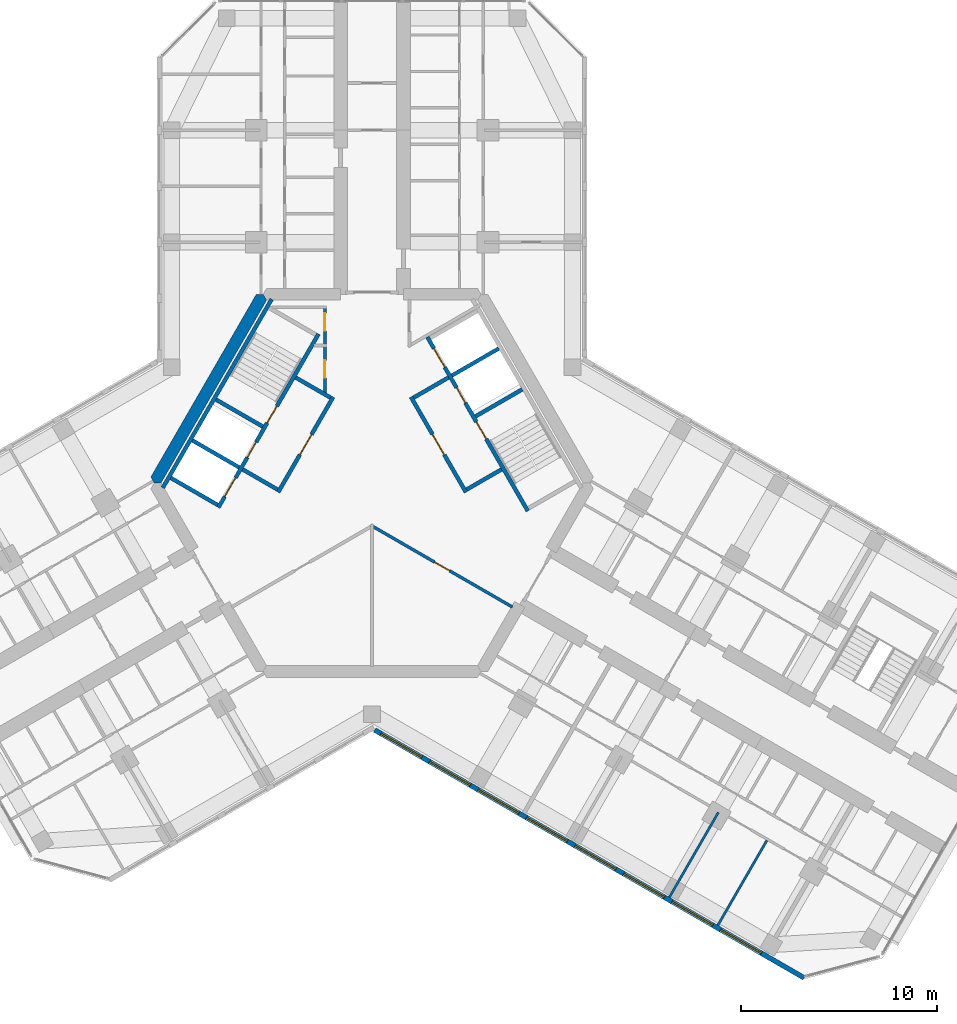
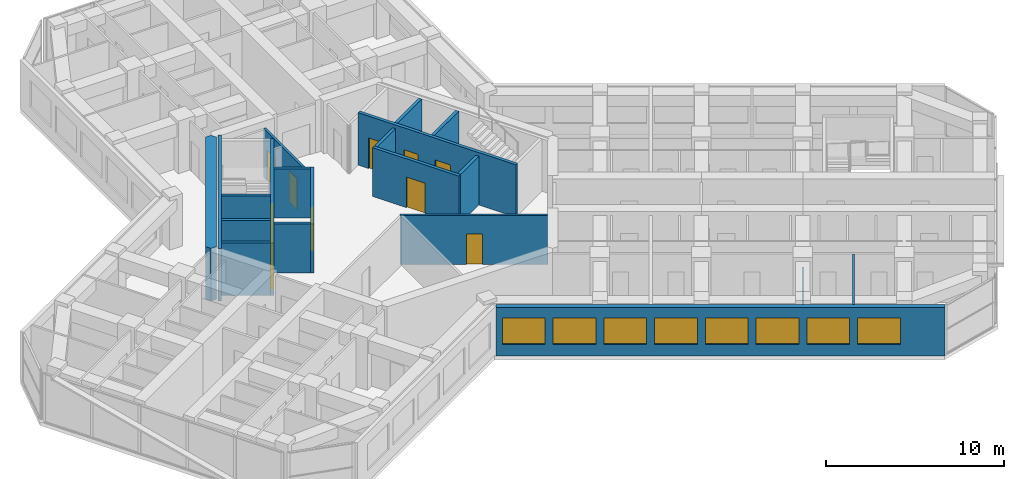
# One storey, part 10 of 16: 20 walls, 11 doors, 8 windows, 19 openings.
"""IFC4 building model written with IfcOpenShell, lengths in metres."""

from ifc_helpers import new_model, si_unit, direction, frame, frame_2d, origin, place, context, subcontext, project, spatial, polyline, rectangle, outline, extrude, material, layer, layer_set, type_object, element, fill, save


model = new_model("IFC4")

# Units and contexts
model_context = context("Model", 3, precision=1e-05, world=origin(), true_north=direction((0.0, 1.0)))
body_context = subcontext(model_context, "Body", "Model", "MODEL_VIEW")
ifc_project = project(units=[si_unit("LENGTHUNIT", "METRE"), si_unit("AREAUNIT", "SQUARE_METRE"), si_unit("VOLUMEUNIT", "CUBIC_METRE"), si_unit("PLANEANGLEUNIT", "RADIAN"), si_unit("MASSUNIT", "GRAM", prefix="KILO")], contexts=[model_context])

# Site, building, storey
site_placement = place(None, origin())
site = spatial("IfcSite", under=ifc_project, at=site_placement, CompositionType="ELEMENT")
building_placement = place(site_placement, origin())
building = spatial("IfcBuilding", under=site, at=building_placement, Name="Kosmar Iwan School Tower", CompositionType="ELEMENT")
storey_placement = place(building_placement, frame((0.0, 0.0, 242.39990234375)))
storey = spatial("IfcBuildingStorey", under=building, at=storey_placement, Name="L61", CompositionType="ELEMENT", Elevation=242.39990234375)

# Wall, openings, doors
ifc_material_1 = material(Name="Gypsum board on steel studs, fire-rated", Category="steel")
ifc_layer_1 = layer(ifc_material_1, 0.14990234375)
ifc_layer_set_1 = layer_set([ifc_layer_1], Name="Core room partition 150")
wall_type_1 = type_object("IfcWallType", Name="Core room partition 150", PredefinedType="PARTITIONING", material=ifc_layer_set_1)
wall_1_placement = place(storey_placement, frame((-2.39990234375, 9.014892578125, 0.0), z_axis=(0.0, 0.0, 1.0), x_axis=(0.0, -1.0, 0.0)))
wall_1 = element("IfcWall", 1, at=wall_1_placement, inside=storey, type_object=wall_type_1, Name="Core room partition L61-CW1", PredefinedType="PARTITIONING", context=body_context, shape_type="SweptSolid", body=[
    extrude(rectangle(XDim=4.484130859375, YDim=0.14990234375, at=frame_2d((2.2421875, 0.0))), origin(), (0.0, 0.0, 1.0), 3.35009765625),
])
opening_1_placement = place(wall_1_placement, frame((0.375, 0.0, 0.0)))
opening_1 = element("IfcOpeningElement", 2, at=opening_1_placement, cuts=wall_1, Name="Opening D14", PredefinedType="OPENING", context=body_context, shape_type="SweptSolid", body=[
    extrude(rectangle(XDim=0.89990234375, YDim=2.10009765625, at=frame_2d((0.449951171875, 1.050048828125))), frame((0.0, 0.0869140625, 0.0), z_axis=(0.0, -1.0, 0.0), x_axis=(1.0, 0.0, 0.0)), (0.0, 0.0, 1.0), 0.173828125),
])
opening_2_placement = place(wall_1_placement, frame((2.77490234375, 0.0, 0.0)))
opening_2 = element("IfcOpeningElement", 3, at=opening_2_placement, cuts=wall_1, Name="Opening D14", PredefinedType="OPENING", context=body_context, shape_type="SweptSolid", body=[
    extrude(rectangle(XDim=0.89990234375, YDim=2.10009765625, at=frame_2d((0.449951171875, 1.050048828125))), frame((0.0, 0.0869140625, 0.0), z_axis=(0.0, -1.0, 0.0), x_axis=(1.0, 0.0, 0.0)), (0.0, 0.0, 1.0), 0.173828125),
])
ifc_material_2 = material(Name="Timber fire door in steel frame", Category="steel")
door_type_1 = type_object("IfcDoorType", Name="Core room door 900x2100", OperationType="SINGLE_SWING_LEFT", PredefinedType="DOOR", material=ifc_material_2)
door_1_placement = place(opening_1_placement, origin())
door_1 = element("IfcDoor", 4, at=door_1_placement, inside=storey, type_object=door_type_1, Name="Electrical riser and switch room door L61 1", OperationType="SINGLE_SWING_LEFT", OverallHeight=2.10009765625, OverallWidth=0.89990234375, PredefinedType="DOOR", context=body_context, shape_type="SweptSolid", body=[
    extrude(rectangle(XDim=0.89990234375, YDim=2.10009765625, at=frame_2d((0.449951171875, 1.050048828125))), frame((0.0, 0.02490234375, 0.0), z_axis=(0.0, -1.0, 0.0), x_axis=(1.0, 0.0, 0.0)), (0.0, 0.0, 1.0), 0.050048828125),
])
fill(opening_1, door_1)
door_2_placement = place(opening_2_placement, origin())
door_2 = element("IfcDoor", 5, at=door_2_placement, inside=storey, type_object=door_type_1, Name="Plumbing and wet riser door L61 2", OperationType="SINGLE_SWING_RIGHT", OverallHeight=2.10009765625, OverallWidth=0.89990234375, PredefinedType="DOOR", context=body_context, shape_type="SweptSolid", body=[
    extrude(rectangle(XDim=0.89990234375, YDim=2.10009765625, at=frame_2d((0.449951171875, 1.050048828125))), frame((0.0, 0.02490234375, 0.0), z_axis=(0.0, -1.0, 0.0), x_axis=(1.0, 0.0, 0.0)), (0.0, 0.0, 1.0), 0.050048828125),
])
fill(opening_2, door_2)

# Wall, opening, door
wall_2_placement = place(storey_placement, frame((-0.06494140625, -2.156494140625, 0.0), z_axis=(0.0, 0.0, 1.0), x_axis=(0.866034159509, -0.499984834333, 0.0)))
wall_2 = element("IfcWall", 6, at=wall_2_placement, inside=storey, type_object=wall_type_1, Name="Core room partition L61-CW6", PredefinedType="PARTITIONING", context=body_context, shape_type="SweptSolid", body=[
    extrude(rectangle(XDim=8.322998046875, YDim=0.14990234375, at=frame_2d((4.16162109375, 0.0))), origin(), (0.0, 0.0, 1.0), 3.35009765625),
])
opening_3_placement = place(wall_2_placement, frame((3.7470703125, 0.0, 0.0)))
opening_3 = element("IfcOpeningElement", 7, at=opening_3_placement, cuts=wall_2, Name="Opening D14", PredefinedType="OPENING", context=body_context, shape_type="SweptSolid", body=[
    extrude(rectangle(XDim=0.89990234375, YDim=2.10009765625, at=frame_2d((0.449951171875, 1.050048828125))), frame((0.0, 0.0869140625, 0.0), z_axis=(0.0, -1.0, 0.0), x_axis=(1.0, 0.0, 0.0)), (0.0, 0.0, 1.0), 0.173828125),
])
door_3_placement = place(opening_3_placement, origin())
door_3 = element("IfcDoor", 8, at=door_3_placement, inside=storey, type_object=door_type_1, Name="Parcel room door L61 3", OperationType="SINGLE_SWING_RIGHT", OverallHeight=2.10009765625, OverallWidth=0.89990234375, PredefinedType="DOOR", context=body_context, shape_type="SweptSolid", body=[
    extrude(rectangle(XDim=0.89990234375, YDim=2.10009765625, at=frame_2d((0.449951171875, 1.050048828125))), frame((0.0, 0.02490234375, 0.0), z_axis=(0.0, -1.0, 0.0), x_axis=(1.0, 0.0, 0.0)), (0.0, 0.0, 1.0), 0.050048828125),
])
fill(opening_3, door_3)

# Walls
ifc_material_3 = material(Name="Concrete C50/60", Category="concrete")
ifc_layer_2 = layer(ifc_material_3, 0.60009765625)
ifc_layer_set_2 = layer_set([ifc_layer_2], Name="Core wall 600")
wall_type_2 = type_object("IfcWallType", Name="Core wall 600", PredefinedType="SHEAR", material=ifc_layer_set_2)
wall_3_placement = place(storey_placement, origin())
element("IfcWall", 9, at=wall_3_placement, inside=storey, type_object=wall_type_2, Name="Core wall F150", PredefinedType="SHEAR", context=body_context, shape_type="SweptSolid", body=[
    extrude(outline(polyline([(-11.085205078125, 0.0), (-10.73876953125, 0.0), (-5.369384765625, 9.300048828125), (-5.54248046875, 9.60009765625), (-5.888916015625, 9.60009765625), (-11.25830078125, 0.300048828125), (-11.085205078125, 0.0)])), origin(), (0.0, 0.0, 1.0), 3.60009765625),
])
ifc_material_4 = material(Name="Gypsum board on steel studs", Category="steel")
ifc_layer_3 = layer(ifc_material_4, 0.1201171875)
ifc_layer_set_3 = layer_set([ifc_layer_3], Name="Dwelling partition 120")
wall_type_3 = type_object("IfcWallType", Name="Dwelling partition 120", PredefinedType="PARTITIONING", material=ifc_layer_set_3)
wall_4_placement = place(storey_placement, frame((17.62646484375, -16.77001953125, 0.0), z_axis=(0.0, 0.0, 1.0), x_axis=(-0.499975153383, -0.86603974851, 0.0)))
element("IfcWall", 10, at=wall_4_placement, inside=storey, type_object=wall_type_3, Name="Partition L61-CR2-X2", PredefinedType="PARTITIONING", context=body_context, shape_type="SweptSolid", body=[
    extrude(rectangle(XDim=4.989990234375, YDim=0.1201171875, at=frame_2d((2.4951171875, 0.0))), origin(), (0.0, 0.0, 1.0), 2.4501953125),
])
wall_5_placement = place(storey_placement, frame((20.0947265625, -18.195068359375, 0.0), z_axis=(0.0, 0.0, 1.0), x_axis=(-0.500011847778, -0.866018563358, 0.0)))
element("IfcWall", 11, at=wall_5_placement, inside=storey, type_object=wall_type_3, Name="Partition L61-CR2-X3", PredefinedType="PARTITIONING", context=body_context, shape_type="SweptSolid", body=[
    extrude(rectangle(XDim=4.990234375, YDim=0.1201171875, at=frame_2d((2.4951171875, 0.0))), origin(), (0.0, 0.0, 1.0), 3.35009765625),
])

# Wall, openings, windows
ifc_material_5 = material(Name="Black aluminium rainscreen on insulated framing", Category="aluminium")
ifc_layer_4 = layer(ifc_material_5, 0.25)
ifc_layer_set_4 = layer_set([ifc_layer_4], Name="External wall rainscreen 250")
wall_type_4 = type_object("IfcWallType", Name="External wall rainscreen 250", PredefinedType="SOLIDWALL", material=ifc_layer_set_4)
wall_6_placement = place(storey_placement, frame((0.137939453125, -12.5791015625, 0.0), z_axis=(0.0, 0.0, 1.0), x_axis=(0.866023775649, -0.500002820003, 0.0)))
wall_6 = element("IfcWall", 12, at=wall_6_placement, inside=storey, type_object=wall_type_4, Name="External wall CR L61", PredefinedType="SOLIDWALL", context=body_context, shape_type="SweptSolid", body=[
    extrude(rectangle(XDim=25.226318359375, YDim=0.25, at=frame_2d((12.61328125, 0.0))), origin(), (0.0, 0.0, 1.0), 3.35009765625),
])
opening_4_placement = place(wall_6_placement, frame((0.365966796875, 0.0, 0.800048828125)))
opening_4 = element("IfcOpeningElement", 13, at=opening_4_placement, cuts=wall_6, Name="Opening W5", PredefinedType="OPENING", context=body_context, shape_type="SweptSolid", body=[
    extrude(rectangle(XDim=2.39990234375, YDim=1.800048828125, at=frame_2d((1.199951171875, 0.89990234375))), frame((0.0, 0.136962890625, 0.0), z_axis=(0.0, -1.0, 0.0), x_axis=(1.0, 0.0, 0.0)), (0.0, 0.0, 1.0), 0.27392578125),
])
opening_5_placement = place(wall_6_placement, frame((3.216064453125, 0.0, 0.800048828125)))
opening_5 = element("IfcOpeningElement", 14, at=opening_5_placement, cuts=wall_6, Name="Opening W5", PredefinedType="OPENING", context=body_context, shape_type="SweptSolid", body=[
    extrude(rectangle(XDim=2.39990234375, YDim=1.800048828125, at=frame_2d((1.199951171875, 0.89990234375))), frame((0.0, 0.136962890625, 0.0), z_axis=(0.0, -1.0, 0.0), x_axis=(1.0, 0.0, 0.0)), (0.0, 0.0, 1.0), 0.27392578125),
])
opening_6_placement = place(wall_6_placement, frame((6.06591796875, 0.0, 0.800048828125)))
opening_6 = element("IfcOpeningElement", 15, at=opening_6_placement, cuts=wall_6, Name="Opening W5", PredefinedType="OPENING", context=body_context, shape_type="SweptSolid", body=[
    extrude(rectangle(XDim=2.39990234375, YDim=1.800048828125, at=frame_2d((1.199951171875, 0.89990234375))), frame((0.0, 0.136962890625, 0.0), z_axis=(0.0, -1.0, 0.0), x_axis=(1.0, 0.0, 0.0)), (0.0, 0.0, 1.0), 0.27392578125),
])
opening_7_placement = place(wall_6_placement, frame((8.916015625, 0.0, 0.800048828125)))
opening_7 = element("IfcOpeningElement", 16, at=opening_7_placement, cuts=wall_6, Name="Opening W5", PredefinedType="OPENING", context=body_context, shape_type="SweptSolid", body=[
    extrude(rectangle(XDim=2.39990234375, YDim=1.800048828125, at=frame_2d((1.199951171875, 0.89990234375))), frame((0.0, 0.136962890625, 0.0), z_axis=(0.0, -1.0, 0.0), x_axis=(1.0, 0.0, 0.0)), (0.0, 0.0, 1.0), 0.27392578125),
])
opening_8_placement = place(wall_6_placement, frame((11.76611328125, 0.0, 0.800048828125)))
opening_8 = element("IfcOpeningElement", 17, at=opening_8_placement, cuts=wall_6, Name="Opening W5", PredefinedType="OPENING", context=body_context, shape_type="SweptSolid", body=[
    extrude(rectangle(XDim=2.39990234375, YDim=1.800048828125, at=frame_2d((1.199951171875, 0.89990234375))), frame((0.0, 0.136962890625, 0.0), z_axis=(0.0, -1.0, 0.0), x_axis=(1.0, 0.0, 0.0)), (0.0, 0.0, 1.0), 0.27392578125),
])
opening_9_placement = place(wall_6_placement, frame((14.615966796875, 0.0, 0.800048828125)))
opening_9 = element("IfcOpeningElement", 18, at=opening_9_placement, cuts=wall_6, Name="Opening W5", PredefinedType="OPENING", context=body_context, shape_type="SweptSolid", body=[
    extrude(rectangle(XDim=2.39990234375, YDim=1.800048828125, at=frame_2d((1.199951171875, 0.89990234375))), frame((0.0, 0.136962890625, 0.0), z_axis=(0.0, -1.0, 0.0), x_axis=(1.0, 0.0, 0.0)), (0.0, 0.0, 1.0), 0.27392578125),
])
opening_10_placement = place(wall_6_placement, frame((17.466064453125, 0.0, 0.800048828125)))
opening_10 = element("IfcOpeningElement", 19, at=opening_10_placement, cuts=wall_6, Name="Opening W5", PredefinedType="OPENING", context=body_context, shape_type="SweptSolid", body=[
    extrude(rectangle(XDim=2.39990234375, YDim=1.800048828125, at=frame_2d((1.199951171875, 0.89990234375))), frame((0.0, 0.136962890625, 0.0), z_axis=(0.0, -1.0, 0.0), x_axis=(1.0, 0.0, 0.0)), (0.0, 0.0, 1.0), 0.27392578125),
])
opening_11_placement = place(wall_6_placement, frame((20.31591796875, 0.0, 0.800048828125)))
opening_11 = element("IfcOpeningElement", 20, at=opening_11_placement, cuts=wall_6, Name="Opening W5", PredefinedType="OPENING", context=body_context, shape_type="SweptSolid", body=[
    extrude(rectangle(XDim=2.39990234375, YDim=1.800048828125, at=frame_2d((1.199951171875, 0.89990234375))), frame((0.0, 0.136962890625, 0.0), z_axis=(0.0, -1.0, 0.0), x_axis=(1.0, 0.0, 0.0)), (0.0, 0.0, 1.0), 0.27392578125),
])
ifc_material_6 = material(Name="Black aluminium frame with dark triple glazing", Category="aluminium")
window_type = type_object("IfcWindowType", Name="Window 2400x1800", PartitioningType="SINGLE_PANEL", PredefinedType="WINDOW", material=ifc_material_6)
window_1_placement = place(opening_4_placement, origin())
window_1 = element("IfcWindow", 21, at=window_1_placement, inside=storey, type_object=window_type, Name="Window CR L61 -1", OverallHeight=1.800048828125, OverallWidth=2.39990234375, PartitioningType="SINGLE_PANEL", PredefinedType="WINDOW", context=body_context, shape_type="SweptSolid", body=[
    extrude(rectangle(XDim=2.39990234375, YDim=1.800048828125, at=frame_2d((1.199951171875, 0.89990234375))), frame((0.0, 0.030029296875, 0.0), z_axis=(0.0, -1.0, 0.0), x_axis=(1.0, 0.0, 0.0)), (0.0, 0.0, 1.0), 0.06005859375),
])
fill(opening_4, window_1)
window_2_placement = place(opening_5_placement, origin())
window_2 = element("IfcWindow", 22, at=window_2_placement, inside=storey, type_object=window_type, Name="Window CR L61 0", OverallHeight=1.800048828125, OverallWidth=2.39990234375, PartitioningType="SINGLE_PANEL", PredefinedType="WINDOW", context=body_context, shape_type="SweptSolid", body=[
    extrude(rectangle(XDim=2.39990234375, YDim=1.800048828125, at=frame_2d((1.199951171875, 0.89990234375))), frame((0.0, 0.030029296875, 0.0), z_axis=(0.0, -1.0, 0.0), x_axis=(1.0, 0.0, 0.0)), (0.0, 0.0, 1.0), 0.06005859375),
])
fill(opening_5, window_2)
window_3_placement = place(opening_6_placement, origin())
window_3 = element("IfcWindow", 23, at=window_3_placement, inside=storey, type_object=window_type, Name="Window CR L61 1", OverallHeight=1.800048828125, OverallWidth=2.39990234375, PartitioningType="SINGLE_PANEL", PredefinedType="WINDOW", context=body_context, shape_type="SweptSolid", body=[
    extrude(rectangle(XDim=2.39990234375, YDim=1.800048828125, at=frame_2d((1.199951171875, 0.89990234375))), frame((0.0, 0.030029296875, 0.0), z_axis=(0.0, -1.0, 0.0), x_axis=(1.0, 0.0, 0.0)), (0.0, 0.0, 1.0), 0.06005859375),
])
fill(opening_6, window_3)
window_4_placement = place(opening_7_placement, origin())
window_4 = element("IfcWindow", 24, at=window_4_placement, inside=storey, type_object=window_type, Name="Window CR L61 2", OverallHeight=1.800048828125, OverallWidth=2.39990234375, PartitioningType="SINGLE_PANEL", PredefinedType="WINDOW", context=body_context, shape_type="SweptSolid", body=[
    extrude(rectangle(XDim=2.39990234375, YDim=1.800048828125, at=frame_2d((1.199951171875, 0.89990234375))), frame((0.0, 0.030029296875, 0.0), z_axis=(0.0, -1.0, 0.0), x_axis=(1.0, 0.0, 0.0)), (0.0, 0.0, 1.0), 0.06005859375),
])
fill(opening_7, window_4)
window_5_placement = place(opening_8_placement, origin())
window_5 = element("IfcWindow", 25, at=window_5_placement, inside=storey, type_object=window_type, Name="Window CR L61 3", OverallHeight=1.800048828125, OverallWidth=2.39990234375, PartitioningType="SINGLE_PANEL", PredefinedType="WINDOW", context=body_context, shape_type="SweptSolid", body=[
    extrude(rectangle(XDim=2.39990234375, YDim=1.800048828125, at=frame_2d((1.199951171875, 0.89990234375))), frame((0.0, 0.030029296875, 0.0), z_axis=(0.0, -1.0, 0.0), x_axis=(1.0, 0.0, 0.0)), (0.0, 0.0, 1.0), 0.06005859375),
])
fill(opening_8, window_5)
window_6_placement = place(opening_9_placement, origin())
window_6 = element("IfcWindow", 26, at=window_6_placement, inside=storey, type_object=window_type, Name="Window CR L61 4", OverallHeight=1.800048828125, OverallWidth=2.39990234375, PartitioningType="SINGLE_PANEL", PredefinedType="WINDOW", context=body_context, shape_type="SweptSolid", body=[
    extrude(rectangle(XDim=2.39990234375, YDim=1.800048828125, at=frame_2d((1.199951171875, 0.89990234375))), frame((0.0, 0.030029296875, 0.0), z_axis=(0.0, -1.0, 0.0), x_axis=(1.0, 0.0, 0.0)), (0.0, 0.0, 1.0), 0.06005859375),
])
fill(opening_9, window_6)
window_7_placement = place(opening_10_placement, origin())
window_7 = element("IfcWindow", 27, at=window_7_placement, inside=storey, type_object=window_type, Name="Window CR L61 5", OverallHeight=1.800048828125, OverallWidth=2.39990234375, PartitioningType="SINGLE_PANEL", PredefinedType="WINDOW", context=body_context, shape_type="SweptSolid", body=[
    extrude(rectangle(XDim=2.39990234375, YDim=1.800048828125, at=frame_2d((1.199951171875, 0.89990234375))), frame((0.0, 0.030029296875, 0.0), z_axis=(0.0, -1.0, 0.0), x_axis=(1.0, 0.0, 0.0)), (0.0, 0.0, 1.0), 0.06005859375),
])
fill(opening_10, window_7)
window_8_placement = place(opening_11_placement, origin())
window_8 = element("IfcWindow", 28, at=window_8_placement, inside=storey, type_object=window_type, Name="Window CR L61 6", OverallHeight=1.800048828125, OverallWidth=2.39990234375, PartitioningType="SINGLE_PANEL", PredefinedType="WINDOW", context=body_context, shape_type="SweptSolid", body=[
    extrude(rectangle(XDim=2.39990234375, YDim=1.800048828125, at=frame_2d((1.199951171875, 0.89990234375))), frame((0.0, 0.030029296875, 0.0), z_axis=(0.0, -1.0, 0.0), x_axis=(1.0, 0.0, 0.0)), (0.0, 0.0, 1.0), 0.06005859375),
])
fill(opening_11, window_8)

# Wall, opening, door
ifc_material_7 = material(Name="Concrete block masonry", Category="masonry")
ifc_layer_5 = layer(ifc_material_7, 0.199951171875)
ifc_layer_set_5 = layer_set([ifc_layer_5], Name="Fire lobby wall 200")
wall_type_5 = type_object("IfcWallType", Name="Fire lobby wall 200", PredefinedType="PARTITIONING", material=ifc_layer_set_5)
wall_7_placement = place(storey_placement, frame((-1.9775390625, 4.374755859375, 0.0), z_axis=(0.0, 0.0, 1.0), x_axis=(-0.500016814911, -0.866015695474, 0.0)))
wall_7 = element("IfcWall", 29, at=wall_7_placement, inside=storey, type_object=wall_type_5, Name="Firefighting lobby wall ST2", PredefinedType="PARTITIONING", context=body_context, shape_type="SweptSolid", body=[
    extrude(rectangle(XDim=5.599853515625, YDim=0.199951171875, at=frame_2d((2.7998046875, 0.0))), origin(), (0.0, 0.0, 1.0), 3.35009765625),
])
opening_12_placement = place(wall_7_placement, frame((2.199951171875, 0.0, 0.0)))
opening_12 = element("IfcOpeningElement", 30, at=opening_12_placement, cuts=wall_7, Name="Opening D7", PredefinedType="OPENING", context=body_context, shape_type="SweptSolid", body=[
    extrude(rectangle(XDim=1.199951171875, YDim=2.10009765625, at=frame_2d((0.60009765625, 1.050048828125))), frame((0.0, 0.112060546875, 0.0), z_axis=(0.0, -1.0, 0.0), x_axis=(1.0, 0.0, 0.0)), (0.0, 0.0, 1.0), 0.223876953125),
])
ifc_material_8 = material(Name="Steel fire door", Category="steel")
door_type_2 = type_object("IfcDoorType", Name="Fire lobby door 1200x2100", OperationType="SINGLE_SWING_LEFT", PredefinedType="DOOR", material=ifc_material_8)
door_4_placement = place(opening_12_placement, origin())
door_4 = element("IfcDoor", 31, at=door_4_placement, inside=storey, type_object=door_type_2, Name="Firefighting lobby door ST2 L61", OperationType="SINGLE_SWING_RIGHT", OverallHeight=2.10009765625, OverallWidth=1.199951171875, PredefinedType="DOOR", context=body_context, shape_type="SweptSolid", body=[
    extrude(rectangle(XDim=1.199951171875, YDim=2.10009765625, at=frame_2d((0.60009765625, 1.050048828125))), frame((0.0, 0.02490234375, 0.0), z_axis=(0.0, -1.0, 0.0), x_axis=(1.0, 0.0, 0.0)), (0.0, 0.0, 1.0), 0.050048828125),
])
fill(opening_12, door_4)

# Walls
wall_8_placement = place(storey_placement, frame((-2.114013671875, 4.33837890625, 0.0), z_axis=(0.0, 0.0, 1.0), x_axis=(-0.866050731258, 0.499956128963, 0.0)))
element("IfcWall", 32, at=wall_8_placement, inside=storey, type_object=wall_type_5, Name="Firefighting lobby wall ST2", PredefinedType="PARTITIONING", context=body_context, shape_type="SweptSolid", body=[
    extrude(rectangle(XDim=2.050048828125, YDim=0.199951171875, at=frame_2d((1.02490234375, 0.0))), origin(), (0.0, 0.0, 1.0), 3.35009765625),
])
wall_9_placement = place(storey_placement, frame((-4.814208984375, -0.33837890625, 0.0), z_axis=(0.0, 0.0, 1.0), x_axis=(-0.865969381856, 0.500097020274, 0.0)))
element("IfcWall", 33, at=wall_9_placement, inside=storey, type_object=wall_type_5, Name="Firefighting lobby wall ST2", PredefinedType="PARTITIONING", context=body_context, shape_type="SweptSolid", body=[
    extrude(rectangle(XDim=2.0498046875, YDim=0.199951171875, at=frame_2d((1.02490234375, 0.0))), origin(), (0.0, 0.0, 1.0), 3.35009765625),
])

# Wall, opening, door
wall_10_placement = place(storey_placement, frame((4.777587890625, -0.474853515625, 0.0), z_axis=(0.0, 0.0, 1.0), x_axis=(-0.500016814911, 0.866015695474, 0.0)))
wall_10 = element("IfcWall", 34, at=wall_10_placement, inside=storey, type_object=wall_type_5, Name="Firefighting lobby wall ST1", PredefinedType="PARTITIONING", context=body_context, shape_type="SweptSolid", body=[
    extrude(rectangle(XDim=5.599853515625, YDim=0.199951171875, at=frame_2d((2.7998046875, 0.0))), origin(), (0.0, 0.0, 1.0), 3.35009765625),
])
opening_13_placement = place(wall_10_placement, frame((2.199951171875, 0.0, 0.0)))
opening_13 = element("IfcOpeningElement", 35, at=opening_13_placement, cuts=wall_10, Name="Opening D7", PredefinedType="OPENING", context=body_context, shape_type="SweptSolid", body=[
    extrude(rectangle(XDim=1.199951171875, YDim=2.10009765625, at=frame_2d((0.60009765625, 1.050048828125))), frame((0.0, 0.112060546875, 0.0), z_axis=(0.0, -1.0, 0.0), x_axis=(1.0, 0.0, 0.0)), (0.0, 0.0, 1.0), 0.223876953125),
])
door_5_placement = place(opening_13_placement, origin())
door_5 = element("IfcDoor", 36, at=door_5_placement, inside=storey, type_object=door_type_2, Name="Firefighting lobby door ST1 L61", OperationType="SINGLE_SWING_RIGHT", OverallHeight=2.10009765625, OverallWidth=1.199951171875, PredefinedType="DOOR", context=body_context, shape_type="SweptSolid", body=[
    extrude(rectangle(XDim=1.199951171875, YDim=2.10009765625, at=frame_2d((0.60009765625, 1.050048828125))), frame((0.0, 0.02490234375, 0.0), z_axis=(0.0, -1.0, 0.0), x_axis=(1.0, 0.0, 0.0)), (0.0, 0.0, 1.0), 0.050048828125),
])
fill(opening_13, door_5)

# Walls
wall_11_placement = place(storey_placement, frame((4.814208984375, -0.33837890625, 0.0), z_axis=(0.0, 0.0, 1.0), x_axis=(0.865969381856, 0.500097020274, 0.0)))
element("IfcWall", 37, at=wall_11_placement, inside=storey, type_object=wall_type_5, Name="Firefighting lobby wall ST1", PredefinedType="PARTITIONING", context=body_context, shape_type="SweptSolid", body=[
    extrude(rectangle(XDim=2.0498046875, YDim=0.199951171875, at=frame_2d((1.02490234375, 0.0))), origin(), (0.0, 0.0, 1.0), 3.35009765625),
])
wall_12_placement = place(storey_placement, frame((2.114013671875, 4.33837890625, 0.0), z_axis=(0.0, 0.0, 1.0), x_axis=(0.866050731258, 0.499956128963, 0.0)))
element("IfcWall", 38, at=wall_12_placement, inside=storey, type_object=wall_type_5, Name="Firefighting lobby wall ST1", PredefinedType="PARTITIONING", context=body_context, shape_type="SweptSolid", body=[
    extrude(rectangle(XDim=2.050048828125, YDim=0.199951171875, at=frame_2d((1.02490234375, 0.0))), origin(), (0.0, 0.0, 1.0), 3.35009765625),
])

# Wall, openings, doors
ifc_material_9 = material(Name="Concrete C50/60", Category="concrete")
ifc_layer_6 = layer(ifc_material_9, 0.199951171875)
ifc_layer_set_6 = layer_set([ifc_layer_6], Name="Lift shaft wall 200")
wall_type_6 = type_object("IfcWallType", Name="Lift shaft wall 200", PredefinedType="SHEAR", material=ifc_layer_set_6)
wall_13_placement = place(storey_placement, frame((-2.72607421875, 7.578369140625, 0.0), z_axis=(0.0, 0.0, 1.0), x_axis=(-0.500005610874, -0.86602216432, 0.0)))
wall_13 = element("IfcWall", 39, at=wall_13_placement, inside=storey, type_object=wall_type_6, Name="Lift and stair front wall AB", PredefinedType="SHEAR", context=body_context, shape_type="SweptSolid", body=[
    extrude(rectangle(XDim=10.2001953125, YDim=0.199951171875, at=frame_2d((5.10009765625, 0.0))), origin(), (0.0, 0.0, 1.0), 3.60009765625),
])
opening_14_placement = place(wall_13_placement, frame((6.35009765625, 0.0, 0.0)))
opening_14 = element("IfcOpeningElement", 40, at=opening_14_placement, cuts=wall_13, Name="Opening LD2", PredefinedType="OPENING", context=body_context, shape_type="SweptSolid", body=[
    extrude(rectangle(XDim=0.89990234375, YDim=2.10009765625, at=frame_2d((0.449951171875, 1.050048828125))), frame((0.0, 0.112060546875, 0.0), z_axis=(0.0, -1.0, 0.0), x_axis=(1.0, 0.0, 0.0)), (0.0, 0.0, 1.0), 0.223876953125),
])
opening_15_placement = place(wall_13_placement, frame((8.449951171875, 0.0, 0.0)))
opening_15 = element("IfcOpeningElement", 41, at=opening_15_placement, cuts=wall_13, Name="Opening LD1", PredefinedType="OPENING", context=body_context, shape_type="SweptSolid", body=[
    extrude(rectangle(XDim=1.10009765625, YDim=2.10009765625, at=frame_2d((0.550048828125, 1.050048828125))), frame((0.0, 0.112060546875, 0.0), z_axis=(0.0, -1.0, 0.0), x_axis=(1.0, 0.0, 0.0)), (0.0, 0.0, 1.0), 0.223876953125),
])
opening_16_placement = place(wall_13_placement, frame((4.22998046875, 0.0, 0.0)))
opening_16 = element("IfcOpeningElement", 42, at=opening_16_placement, cuts=wall_13, Name="Opening D6", PredefinedType="OPENING", context=body_context, shape_type="SweptSolid", body=[
    extrude(rectangle(XDim=1.0, YDim=2.10009765625, at=frame_2d((0.5, 1.050048828125))), frame((0.0, 0.112060546875, 0.0), z_axis=(0.0, -1.0, 0.0), x_axis=(1.0, 0.0, 0.0)), (0.0, 0.0, 1.0), 0.223876953125),
])
ifc_material_10 = material(Name="Stainless steel sliding lift door", Category="steel")
door_type_3 = type_object("IfcDoorType", Name="Firefighting lift landing door 900x2100", OperationType="SLIDING_TO_LEFT", PredefinedType="DOOR", material=ifc_material_10)
door_6_placement = place(opening_14_placement, origin())
door_6 = element("IfcDoor", 43, at=door_6_placement, inside=storey, type_object=door_type_3, Name="Lift FF2 landing door L61", OperationType="SLIDING_TO_LEFT", OverallHeight=2.10009765625, OverallWidth=0.89990234375, PredefinedType="DOOR", context=body_context, shape_type="SweptSolid", body=[
    extrude(rectangle(XDim=0.89990234375, YDim=2.10009765625, at=frame_2d((0.449951171875, 1.050048828125))), frame((0.0, 0.02490234375, 0.0), z_axis=(0.0, -1.0, 0.0), x_axis=(1.0, 0.0, 0.0)), (0.0, 0.0, 1.0), 0.050048828125),
])
fill(opening_14, door_6)
ifc_material_11 = material(Name="Stainless steel sliding lift door", Category="steel")
door_type_4 = type_object("IfcDoorType", Name="Lift landing door 1100x2100", OperationType="SLIDING_TO_LEFT", PredefinedType="DOOR", material=ifc_material_11)
door_7_placement = place(opening_15_placement, origin())
door_7 = element("IfcDoor", 44, at=door_7_placement, inside=storey, type_object=door_type_4, Name="Lift PL6 landing door L61", OperationType="SLIDING_TO_LEFT", OverallHeight=2.10009765625, OverallWidth=1.10009765625, PredefinedType="DOOR", context=body_context, shape_type="SweptSolid", body=[
    extrude(rectangle(XDim=1.10009765625, YDim=2.10009765625, at=frame_2d((0.550048828125, 1.050048828125))), frame((0.0, 0.02490234375, 0.0), z_axis=(0.0, -1.0, 0.0), x_axis=(1.0, 0.0, 0.0)), (0.0, 0.0, 1.0), 0.050048828125),
])
fill(opening_15, door_7)
ifc_material_12 = material(Name="Steel fire door", Category="steel")
door_type_5 = type_object("IfcDoorType", Name="Stair door 1000x2100", OperationType="SINGLE_SWING_LEFT", PredefinedType="DOOR", material=ifc_material_12)
door_8_placement = place(opening_16_placement, origin())
door_8 = element("IfcDoor", 45, at=door_8_placement, inside=storey, type_object=door_type_5, Name="Stair ST2 door L61", OperationType="SINGLE_SWING_LEFT", OverallHeight=2.10009765625, OverallWidth=1.0, PredefinedType="DOOR", context=body_context, shape_type="SweptSolid", body=[
    extrude(rectangle(XDim=1.0, YDim=2.10009765625, at=frame_2d((0.5, 1.050048828125))), frame((0.0, 0.02490234375, 0.0), z_axis=(0.0, -1.0, 0.0), x_axis=(1.0, 0.0, 0.0)), (0.0, 0.0, 1.0), 0.050048828125),
])
fill(opening_16, door_8)

# Walls
wall_14_placement = place(storey_placement, frame((-5.109619140625, 9.35009765625, 0.0), z_axis=(0.0, 0.0, 1.0), x_axis=(-0.499990629522, -0.866030813765, 0.0)))
element("IfcWall", 46, at=wall_14_placement, inside=storey, type_object=wall_type_6, Name="Lift and stair back wall AB", PredefinedType="SHEAR", context=body_context, shape_type="SweptSolid", body=[
    extrude(rectangle(XDim=11.085205078125, YDim=0.199951171875, at=frame_2d((5.54248046875, 0.0))), origin(), (0.0, 0.0, 1.0), 3.60009765625),
])
for number, where, z_axis, x_axis, name in (
    (47, (-6.7626953125, 0.78662109375, 0.0), (0.0, 0.0, 1.0), (-0.866027397988, 0.499996545922, 0.0), "Lift shaft wall AB 1"),
    (48, (-7.862548828125, -1.118408203125, 0.0), (0.0, 0.0, 1.0), (-0.866027397988, 0.499996545922, 0.0), "Lift shaft wall AB 2"),
):
    element("IfcWall", number, at=place(storey_placement, frame(where, z_axis=z_axis, x_axis=x_axis)), inside=storey, type_object=wall_type_6, Name=name, PredefinedType="SHEAR", context=body_context, shape_type="SweptSolid", body=[
        extrude(rectangle(XDim=2.75, YDim=0.199951171875, at=frame_2d((1.375, 0.0))), origin(), (0.0, 0.0, 1.0), 3.60009765625),
    ])

# Wall, openings, doors
wall_15_placement = place(storey_placement, frame((7.926025390625, -1.42822265625, 0.0), z_axis=(0.0, 0.0, 1.0), x_axis=(-0.50000905659, 0.866020174897, 0.0)))
wall_15 = element("IfcWall", 49, at=wall_15_placement, inside=storey, type_object=wall_type_6, Name="Lift and stair front wall AC", PredefinedType="SHEAR", context=body_context, shape_type="SweptSolid", body=[
    extrude(rectangle(XDim=10.224853515625, YDim=0.199951171875, at=frame_2d((5.1123046875, 0.0))), origin(), (0.0, 0.0, 1.0), 3.60009765625),
])
opening_17_placement = place(wall_15_placement, frame((6.35009765625, 0.0, 0.0)))
opening_17 = element("IfcOpeningElement", 50, at=opening_17_placement, cuts=wall_15, Name="Opening LD2", PredefinedType="OPENING", context=body_context, shape_type="SweptSolid", body=[
    extrude(rectangle(XDim=0.89990234375, YDim=2.10009765625, at=frame_2d((0.449951171875, 1.050048828125))), frame((0.0, 0.112060546875, 0.0), z_axis=(0.0, -1.0, 0.0), x_axis=(1.0, 0.0, 0.0)), (0.0, 0.0, 1.0), 0.223876953125),
])
opening_18_placement = place(wall_15_placement, frame((8.449951171875, 0.0, 0.0)))
opening_18 = element("IfcOpeningElement", 51, at=opening_18_placement, cuts=wall_15, Name="Opening LD1", PredefinedType="OPENING", context=body_context, shape_type="SweptSolid", body=[
    extrude(rectangle(XDim=1.10009765625, YDim=2.10009765625, at=frame_2d((0.550048828125, 1.050048828125))), frame((0.0, 0.112060546875, 0.0), z_axis=(0.0, -1.0, 0.0), x_axis=(1.0, 0.0, 0.0)), (0.0, 0.0, 1.0), 0.223876953125),
])
opening_19_placement = place(wall_15_placement, frame((4.22998046875, 0.0, 0.0)))
opening_19 = element("IfcOpeningElement", 52, at=opening_19_placement, cuts=wall_15, Name="Opening D6", PredefinedType="OPENING", context=body_context, shape_type="SweptSolid", body=[
    extrude(rectangle(XDim=1.0, YDim=2.10009765625, at=frame_2d((0.5, 1.050048828125))), frame((0.0, 0.112060546875, 0.0), z_axis=(0.0, -1.0, 0.0), x_axis=(1.0, 0.0, 0.0)), (0.0, 0.0, 1.0), 0.223876953125),
])
door_9_placement = place(opening_17_placement, origin())
door_9 = element("IfcDoor", 53, at=door_9_placement, inside=storey, type_object=door_type_3, Name="Lift FF1 landing door L61", OperationType="SLIDING_TO_LEFT", OverallHeight=2.10009765625, OverallWidth=0.89990234375, PredefinedType="DOOR", context=body_context, shape_type="SweptSolid", body=[
    extrude(rectangle(XDim=0.89990234375, YDim=2.10009765625, at=frame_2d((0.449951171875, 1.050048828125))), frame((0.0, 0.02490234375, 0.0), z_axis=(0.0, -1.0, 0.0), x_axis=(1.0, 0.0, 0.0)), (0.0, 0.0, 1.0), 0.050048828125),
])
fill(opening_17, door_9)
door_10_placement = place(opening_18_placement, origin())
door_10 = element("IfcDoor", 54, at=door_10_placement, inside=storey, type_object=door_type_4, Name="Lift PL5 landing door L61", OperationType="SLIDING_TO_LEFT", OverallHeight=2.10009765625, OverallWidth=1.10009765625, PredefinedType="DOOR", context=body_context, shape_type="SweptSolid", body=[
    extrude(rectangle(XDim=1.10009765625, YDim=2.10009765625, at=frame_2d((0.550048828125, 1.050048828125))), frame((0.0, 0.02490234375, 0.0), z_axis=(0.0, -1.0, 0.0), x_axis=(1.0, 0.0, 0.0)), (0.0, 0.0, 1.0), 0.050048828125),
])
fill(opening_18, door_10)
door_11_placement = place(opening_19_placement, origin())
door_11 = element("IfcDoor", 55, at=door_11_placement, inside=storey, type_object=door_type_5, Name="Stair ST1 door L61", OperationType="SINGLE_SWING_LEFT", OverallHeight=2.10009765625, OverallWidth=1.0, PredefinedType="DOOR", context=body_context, shape_type="SweptSolid", body=[
    extrude(rectangle(XDim=1.0, YDim=2.10009765625, at=frame_2d((0.5, 1.050048828125))), frame((0.0, 0.02490234375, 0.0), z_axis=(0.0, -1.0, 0.0), x_axis=(1.0, 0.0, 0.0)), (0.0, 0.0, 1.0), 0.050048828125),
])
fill(opening_19, door_11)

# Walls
wall_16_placement = place(storey_placement, frame((4.062744140625, 5.46337890625, 0.0), z_axis=(0.0, 0.0, 1.0), x_axis=(0.866027397988, 0.499996545922, 0.0)))
element("IfcWall", 56, at=wall_16_placement, inside=storey, type_object=wall_type_6, Name="Lift shaft wall AC 1", PredefinedType="SHEAR", context=body_context, shape_type="SweptSolid", body=[
    extrude(rectangle(XDim=2.75, YDim=0.199951171875, at=frame_2d((1.375, 0.0))), origin(), (0.0, 0.0, 1.0), 3.60009765625),
])
ifc_material_13 = material(Name="Concrete C50/60", Category="concrete")
ifc_layer_7 = layer(ifc_material_13, 0.199951171875)
ifc_layer_set_7 = layer_set([ifc_layer_7], Name="Stair enclosure wall 200")
wall_type_7 = type_object("IfcWallType", Name="Stair enclosure wall 200", PredefinedType="SHEAR", material=ifc_layer_set_7)
for number, where, z_axis, x_axis, name in (
    (57, (-5.562744140625, 2.865234375, 0.0), (0.0, 0.0, 1.0), (-0.866027397988, 0.499996545922, 0.0), "Stair ST2 wall"),
    (58, (5.2626953125, 3.384765625, 0.0), (0.0, 0.0, 1.0), (0.866027397988, 0.499996545922, 0.0), "Stair ST1 wall"),
):
    element("IfcWall", number, at=place(storey_placement, frame(where, z_axis=z_axis, x_axis=x_axis)), inside=storey, type_object=wall_type_7, Name=name, PredefinedType="SHEAR", context=body_context, shape_type="SweptSolid", body=[
        extrude(rectangle(XDim=2.75, YDim=0.199951171875, at=frame_2d((1.375, 0.0))), origin(), (0.0, 0.0, 1.0), 3.60009765625),
    ])

save(model, "model.ifc")
